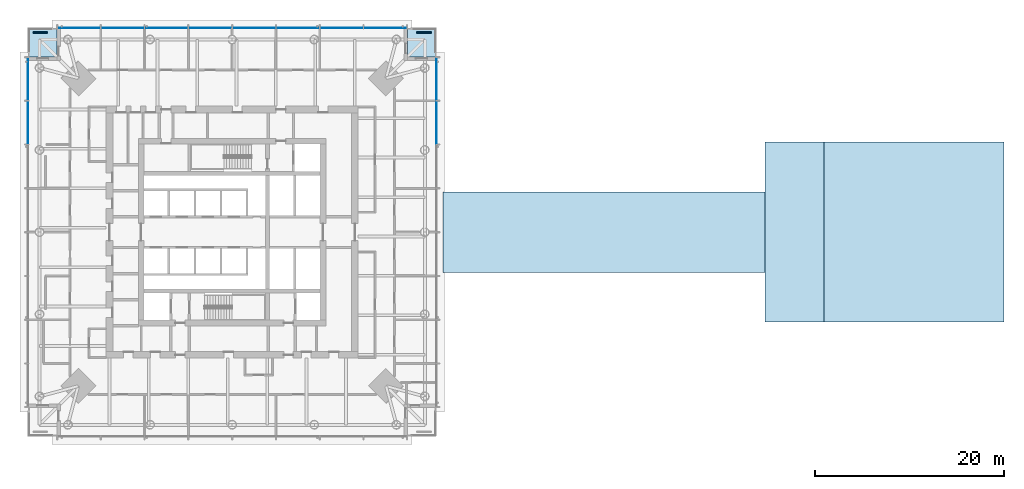
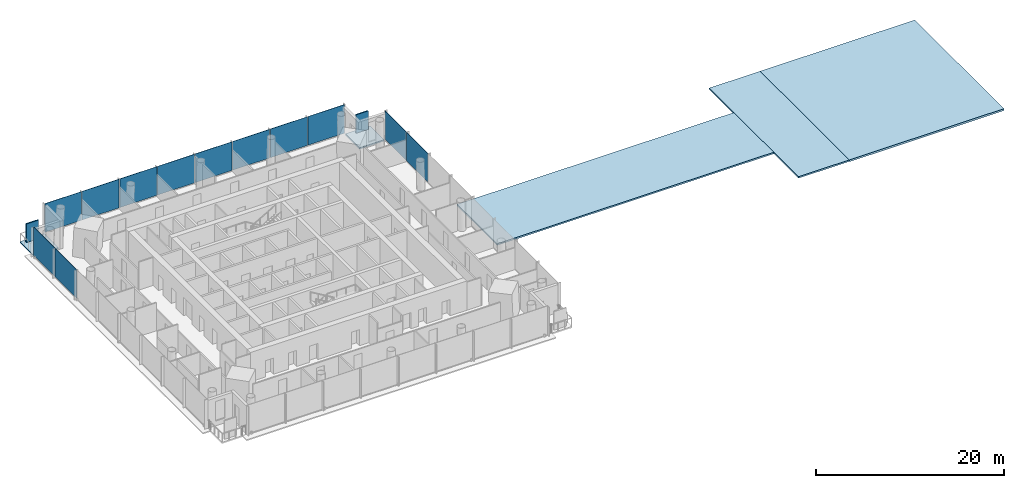
# One storey, part 4 of 16: 14 plates, 5 slabs, 3 elements without a shape of their own.
"""IFC4 building model written with IfcOpenShell, lengths in metres."""

from ifc_helpers import new_model, si_unit, direction, frame, origin, origin_2d, place, context, subcontext, project, spatial, polyline, rectangle, outline, extrude, material, layer, layer_set, type_object, element, aggregate, save


model = new_model("IFC4")

# Units and contexts
model_context = context("Model", 3, precision=1e-05, world=origin(), true_north=direction((0.0, 1.0)))
body_context = subcontext(model_context, "Body", "Model", "MODEL_VIEW")
ifc_project = project(units=[si_unit("LENGTHUNIT", "METRE"), si_unit("AREAUNIT", "SQUARE_METRE"), si_unit("VOLUMEUNIT", "CUBIC_METRE"), si_unit("PLANEANGLEUNIT", "RADIAN"), si_unit("MASSUNIT", "GRAM", prefix="KILO")], contexts=[model_context])

# Site, building, storey
site_placement = place(None, origin())
site = spatial("IfcSite", under=ifc_project, at=site_placement, CompositionType="ELEMENT")
building_placement = place(site_placement, origin())
building = spatial("IfcBuilding", under=site, at=building_placement, Name="Ostroluk Exchange", CompositionType="ELEMENT")
storey_placement = place(building_placement, frame((0.0, 0.0, 135.0)))
storey = spatial("IfcBuildingStorey", under=building, at=storey_placement, Name="L34", CompositionType="ELEMENT", Elevation=135.0)

# Slabs
ifc_material_1 = material(Name="Concrete C35/45", Category="concrete")
ifc_layer_1 = layer(ifc_material_1, 0.179931640625)
ifc_layer_set_1 = layer_set([ifc_layer_1], Name="Balcony slab 180")
slab_type_1 = type_object("IfcSlabType", Name="Balcony slab 180", PredefinedType="USERDEFINED", material=ifc_layer_set_1)
slab_1_placement = place(storey_placement, frame((0.0, 0.0, -0.179931640625)))
element("IfcSlab", 1, at=slab_1_placement, inside=storey, type_object=slab_type_1, Name="Office tower NE corner balcony L34", ObjectType="BALCONY", PredefinedType="USERDEFINED", context=body_context, shape_type="SweptSolid", body=[
    extrude(outline(polyline([(63.5, 64.5), (66.5, 64.5), (66.5, 67.5), (63.5, 67.5), (63.5, 64.5)])), origin(), (0.0, 0.0, 1.0), 0.179931640625),
])
slab_2_placement = place(storey_placement, frame((0.0, 0.0, -0.179931640625)))
element("IfcSlab", 2, at=slab_2_placement, inside=storey, type_object=slab_type_1, Name="Office tower NW corner balcony L34", ObjectType="BALCONY", PredefinedType="USERDEFINED", context=body_context, shape_type="SweptSolid", body=[
    extrude(outline(polyline([(23.5, 64.5), (26.5, 64.5), (26.5, 67.5), (23.5, 67.5), (23.5, 64.5)])), origin(), (0.0, 0.0, 1.0), 0.179931640625),
])
ifc_material_2 = material(Name="Concrete C30/37", Category="concrete")
ifc_layer_2 = layer(ifc_material_2, 0.199951171875)
ifc_layer_set_2 = layer_set([ifc_layer_2], Name="Bridge roof slab 200")
slab_type_2 = type_object("IfcSlabType", Name="Bridge roof slab 200", PredefinedType="ROOF", material=ifc_layer_set_2)
slab_3_placement = place(storey_placement, frame((0.0, 0.0, -0.199951171875)))
element("IfcSlab", 3, at=slab_3_placement, inside=storey, type_object=slab_type_2, Name="Sky garden bridge roof", PredefinedType="ROOF", context=body_context, shape_type="SweptSolid", body=[
    extrude(outline(polyline([(67.25, 41.75), (101.25, 41.75), (101.25, 50.25), (67.25, 50.25), (67.25, 41.75)])), origin(), (0.0, 0.0, 1.0), 0.199951171875),
])
ifc_material_3 = material(Name="Concrete C35/45", Category="concrete")
ifc_layer_3 = layer(ifc_material_3, 0.25)
ifc_layer_set_3 = layer_set([ifc_layer_3], Name="Head-house roof slab 250")
slab_type_3 = type_object("IfcSlabType", Name="Head-house roof slab 250", PredefinedType="ROOF", material=ifc_layer_set_3)
slab_4_placement = place(storey_placement, frame((0.0, 0.0, -0.25)))
element("IfcSlab", 4, at=slab_4_placement, inside=storey, type_object=slab_type_3, Name="Hotel tower core head-house roof", PredefinedType="ROOF", context=body_context, shape_type="SweptSolid", body=[
    extrude(outline(polyline([(107.5, 36.5), (126.5, 36.5), (126.5, 55.5), (107.5, 55.5), (107.5, 36.5)])), origin(), (0.0, 0.0, 1.0), 0.25),
])
ifc_material_4 = material(Name="Concrete C30/37", Category="concrete")
ifc_layer_4 = layer(ifc_material_4, 0.199951171875)
ifc_layer_set_4 = layer_set([ifc_layer_4], Name="Pavilion roof slab 200")
slab_type_4 = type_object("IfcSlabType", Name="Pavilion roof slab 200", PredefinedType="ROOF", material=ifc_layer_set_4)
slab_5_placement = place(storey_placement, frame((0.0, 0.0, -0.199951171875)))
element("IfcSlab", 5, at=slab_5_placement, inside=storey, type_object=slab_type_4, Name="Roof pavilion roof", PredefinedType="ROOF", context=body_context, shape_type="SweptSolid", body=[
    extrude(outline(polyline([(101.25, 36.5), (107.5, 36.5), (107.5, 55.5), (101.25, 55.5), (101.25, 36.5)])), origin(), (0.0, 0.0, 1.0), 0.199951171875),
])

# Plates
ifc_material_5 = material(Name="Steel S355 trellis with planting", Category="steel")
ifc_layer_5 = layer(ifc_material_5, 0.14990234375)
ifc_layer_set_5 = layer_set([ifc_layer_5], Name="Planted screen 150")
plate_type_1 = type_object("IfcPlateType", Name="Planted screen 150", PredefinedType="USERDEFINED", material=ifc_layer_set_5)
for number, where, z_axis, x_axis, name in (
    (6, (65.25, 67.074951171875, 0.0), (0.0, 0.0, 1.0), (1.0, 0.0, 0.0), "Office tower NE planted screen L34"),
    (7, (24.75, 67.074951171875, 0.0), (0.0, 0.0, 1.0), (1.0, 0.0, 0.0), "Office tower NW planted screen L34"),
):
    element("IfcPlate", number, at=place(storey_placement, frame(where, z_axis=z_axis, x_axis=x_axis)), inside=storey, type_object=plate_type_1, Name=name, ObjectType="PLANTED SCREEN", PredefinedType="USERDEFINED", context=body_context, shape_type="SweptSolid", body=[
        extrude(rectangle(XDim=1.5, YDim=0.14990234375, at=origin_2d()), origin(), (0.0, 0.0, 1.0), 2.39990234375),
    ])

# Curtain wall, plates
ifc_material_6 = material(Name="Laminated clear glass", Category="glass")
curtain_wall_type = type_object("IfcCurtainWallType", Name="Office tower facade", PredefinedType="USERDEFINED", material=ifc_material_6)
curtain_wall_1_placement = place(storey_placement, origin())
curtain_wall_1 = element("IfcCurtainWall", 8, at=curtain_wall_1_placement, inside=storey, type_object=curtain_wall_type, Name="Office tower east facade L34", ObjectType="UNITISED CURTAIN WALL", PredefinedType="USERDEFINED")
ifc_material_7 = material(Name="Laminated clear glass", Category="glass")
ifc_layer_6 = layer(ifc_material_7, 0.0439453125)
ifc_layer_set_6 = layer_set([ifc_layer_6], Name="Triple laminated clear glazing 44")
plate_type_2 = type_object("IfcPlateType", Name="Triple laminated clear glazing 44", PredefinedType="CURTAIN_PANEL", material=ifc_layer_set_6)
plate_1_placement = place(storey_placement, frame((66.574951171875, 57.5625, 0.080078125), z_axis=(0.0, 0.0, 1.0), x_axis=(0.0, 1.0, 0.0)))
plate_1 = element("IfcPlate", 9, at=plate_1_placement, type_object=plate_type_2, Name="CW-O1 panel 7.1", PredefinedType="CURTAIN_PANEL", context=body_context, shape_type="SweptSolid", body=[
    extrude(rectangle(XDim=4.544921875, YDim=0.0439453125, at=origin_2d()), origin(), (0.0, 0.0, 1.0), 3.719970703125),
])
plate_2_placement = place(storey_placement, frame((66.574951171875, 62.16748046875, 0.080078125), z_axis=(0.0, 0.0, 1.0), x_axis=(0.0, 1.0, 0.0)))
plate_2 = element("IfcPlate", 10, at=plate_2_placement, type_object=plate_type_2, Name="CW-O1 panel 8.1", PredefinedType="CURTAIN_PANEL", context=body_context, shape_type="SweptSolid", body=[
    extrude(rectangle(XDim=4.5048828125, YDim=0.0439453125, at=origin_2d()), origin(), (0.0, 0.0, 1.0), 3.719970703125),
])
aggregate(curtain_wall_1, [plate_1, plate_2])

curtain_wall_2_placement = place(storey_placement, origin())
curtain_wall_2 = element("IfcCurtainWall", 11, at=curtain_wall_2_placement, inside=storey, type_object=curtain_wall_type, Name="Office tower north facade L34", ObjectType="UNITISED CURTAIN WALL", PredefinedType="USERDEFINED")
plate_3_placement = place(storey_placement, frame((61.16748046875, 67.574951171875, 0.080078125), z_axis=(0.0, 0.0, 1.0), x_axis=(-1.0, 0.0, 0.0)))
plate_3 = element("IfcPlate", 12, at=plate_3_placement, type_object=plate_type_2, Name="CW-O1 panel 1.1", PredefinedType="CURTAIN_PANEL", context=body_context, shape_type="SweptSolid", body=[
    extrude(rectangle(XDim=4.5048828125, YDim=0.0439453125, at=origin_2d()), origin(), (0.0, 0.0, 1.0), 3.719970703125),
])
plate_4_placement = place(storey_placement, frame((56.5625, 67.574951171875, 0.080078125), z_axis=(0.0, 0.0, 1.0), x_axis=(-1.0, 0.0, 0.0)))
plate_4 = element("IfcPlate", 13, at=plate_4_placement, type_object=plate_type_2, Name="CW-O1 panel 2.1", PredefinedType="CURTAIN_PANEL", context=body_context, shape_type="SweptSolid", body=[
    extrude(rectangle(XDim=4.544921875, YDim=0.0439453125, at=origin_2d()), origin(), (0.0, 0.0, 1.0), 3.719970703125),
])
plate_5_placement = place(storey_placement, frame((51.9375, 67.574951171875, 0.080078125), z_axis=(0.0, 0.0, 1.0), x_axis=(-1.0, 0.0, 0.0)))
plate_5 = element("IfcPlate", 14, at=plate_5_placement, type_object=plate_type_2, Name="CW-O1 panel 3.1", PredefinedType="CURTAIN_PANEL", context=body_context, shape_type="SweptSolid", body=[
    extrude(rectangle(XDim=4.544921875, YDim=0.0439453125, at=origin_2d()), origin(), (0.0, 0.0, 1.0), 3.719970703125),
])
plate_6_placement = place(storey_placement, frame((47.3125, 67.574951171875, 0.080078125), z_axis=(0.0, 0.0, 1.0), x_axis=(-1.0, 0.0, 0.0)))
plate_6 = element("IfcPlate", 15, at=plate_6_placement, type_object=plate_type_2, Name="CW-O1 panel 4.1", PredefinedType="CURTAIN_PANEL", context=body_context, shape_type="SweptSolid", body=[
    extrude(rectangle(XDim=4.544921875, YDim=0.0439453125, at=origin_2d()), origin(), (0.0, 0.0, 1.0), 3.719970703125),
])
plate_7_placement = place(storey_placement, frame((42.6875, 67.574951171875, 0.080078125), z_axis=(0.0, 0.0, 1.0), x_axis=(-1.0, 0.0, 0.0)))
plate_7 = element("IfcPlate", 16, at=plate_7_placement, type_object=plate_type_2, Name="CW-O1 panel 5.1", PredefinedType="CURTAIN_PANEL", context=body_context, shape_type="SweptSolid", body=[
    extrude(rectangle(XDim=4.544921875, YDim=0.0439453125, at=origin_2d()), origin(), (0.0, 0.0, 1.0), 3.719970703125),
])
plate_8_placement = place(storey_placement, frame((38.0625, 67.574951171875, 0.080078125), z_axis=(0.0, 0.0, 1.0), x_axis=(-1.0, 0.0, 0.0)))
plate_8 = element("IfcPlate", 17, at=plate_8_placement, type_object=plate_type_2, Name="CW-O1 panel 6.1", PredefinedType="CURTAIN_PANEL", context=body_context, shape_type="SweptSolid", body=[
    extrude(rectangle(XDim=4.544921875, YDim=0.0439453125, at=origin_2d()), origin(), (0.0, 0.0, 1.0), 3.719970703125),
])
plate_9_placement = place(storey_placement, frame((33.4375, 67.574951171875, 0.080078125), z_axis=(0.0, 0.0, 1.0), x_axis=(-1.0, 0.0, 0.0)))
plate_9 = element("IfcPlate", 18, at=plate_9_placement, type_object=plate_type_2, Name="CW-O1 panel 7.1", PredefinedType="CURTAIN_PANEL", context=body_context, shape_type="SweptSolid", body=[
    extrude(rectangle(XDim=4.544921875, YDim=0.0439453125, at=origin_2d()), origin(), (0.0, 0.0, 1.0), 3.719970703125),
])
plate_10_placement = place(storey_placement, frame((28.83251953125, 67.574951171875, 0.080078125), z_axis=(0.0, 0.0, 1.0), x_axis=(-1.0, 0.0, 0.0)))
plate_10 = element("IfcPlate", 19, at=plate_10_placement, type_object=plate_type_2, Name="CW-O1 panel 8.1", PredefinedType="CURTAIN_PANEL", context=body_context, shape_type="SweptSolid", body=[
    extrude(rectangle(XDim=4.5048828125, YDim=0.0439453125, at=origin_2d()), origin(), (0.0, 0.0, 1.0), 3.719970703125),
])
aggregate(curtain_wall_2, [plate_3, plate_4, plate_5, plate_6, plate_7, plate_8, plate_9, plate_10])

curtain_wall_3_placement = place(storey_placement, origin())
curtain_wall_3 = element("IfcCurtainWall", 20, at=curtain_wall_3_placement, inside=storey, type_object=curtain_wall_type, Name="Office tower west facade L34", ObjectType="UNITISED CURTAIN WALL", PredefinedType="USERDEFINED")
plate_11_placement = place(storey_placement, frame((23.425048828125, 62.16748046875, 0.080078125), z_axis=(0.0, 0.0, 1.0), x_axis=(0.0, -1.0, 0.0)))
plate_11 = element("IfcPlate", 21, at=plate_11_placement, type_object=plate_type_2, Name="CW-O1 panel 1.1", PredefinedType="CURTAIN_PANEL", context=body_context, shape_type="SweptSolid", body=[
    extrude(rectangle(XDim=4.5048828125, YDim=0.0439453125, at=origin_2d()), origin(), (0.0, 0.0, 1.0), 3.719970703125),
])
plate_12_placement = place(storey_placement, frame((23.425048828125, 57.5625, 0.080078125), z_axis=(0.0, 0.0, 1.0), x_axis=(0.0, -1.0, 0.0)))
plate_12 = element("IfcPlate", 22, at=plate_12_placement, type_object=plate_type_2, Name="CW-O1 panel 2.1", PredefinedType="CURTAIN_PANEL", context=body_context, shape_type="SweptSolid", body=[
    extrude(rectangle(XDim=4.544921875, YDim=0.0439453125, at=origin_2d()), origin(), (0.0, 0.0, 1.0), 3.719970703125),
])
aggregate(curtain_wall_3, [plate_11, plate_12])

save(model, "model.ifc")
